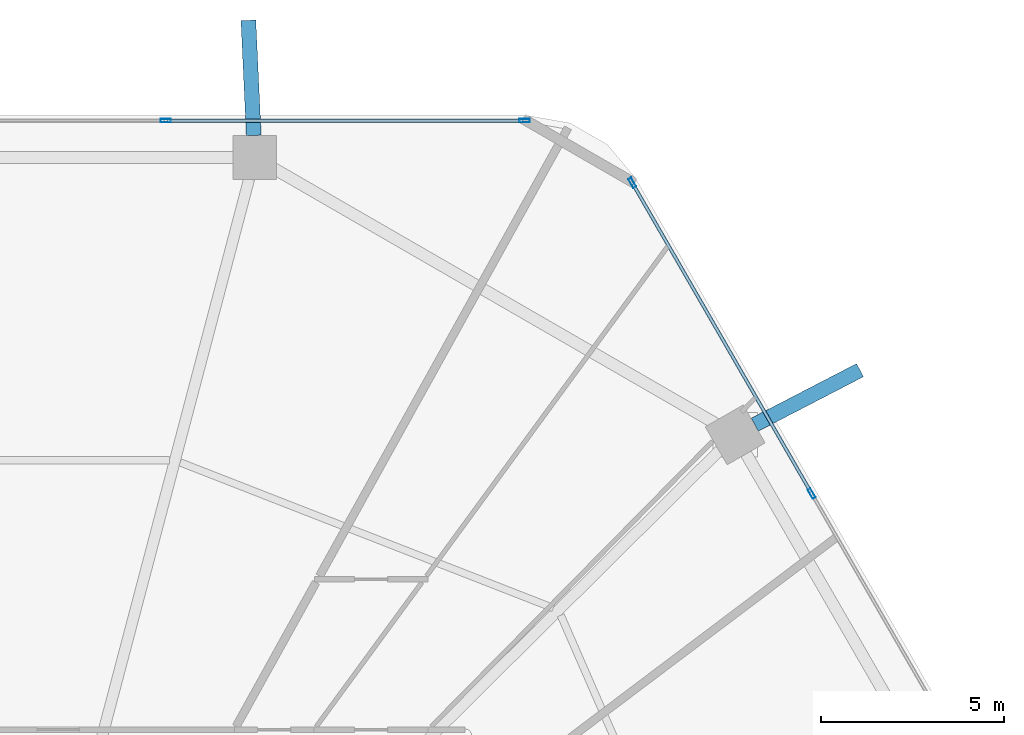
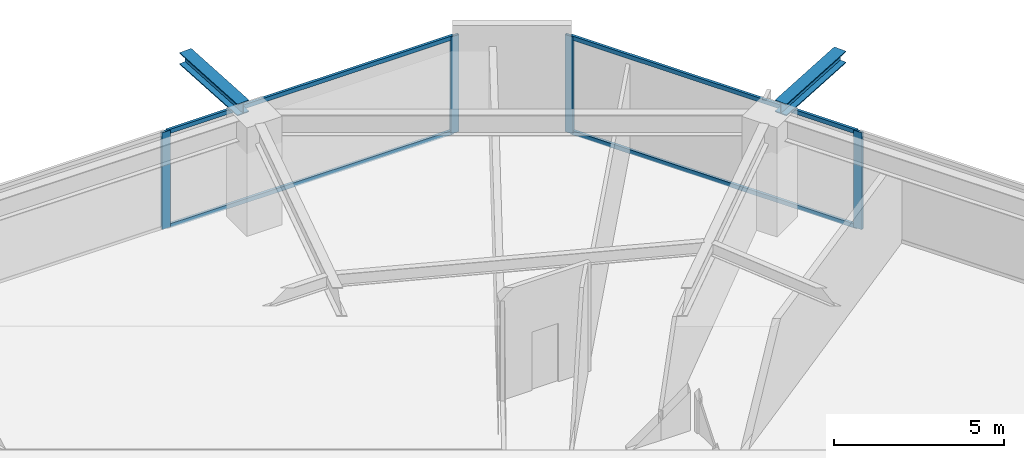
# One storey, part 19 of 26: 8 members, 2 beams, 2 elements without a shape of their own.
"""IFC4 building model written with IfcOpenShell, lengths in metres."""

from ifc_helpers import new_model, si_unit, direction, frame, origin, origin_2d, place, context, subcontext, project, spatial, hollow_rectangle, i_section, extrude, material, material_profile, profile_set, type_object, element, aggregate, save


model = new_model("IFC4")

# Units and contexts
model_context = context("Model", 3, precision=1e-05, world=origin(), true_north=direction((0.0, 1.0)))
body_context = subcontext(model_context, "Body", "Model", "MODEL_VIEW")
ifc_project = project(units=[si_unit("LENGTHUNIT", "METRE"), si_unit("AREAUNIT", "SQUARE_METRE"), si_unit("VOLUMEUNIT", "CUBIC_METRE"), si_unit("PLANEANGLEUNIT", "RADIAN"), si_unit("MASSUNIT", "GRAM", prefix="KILO")], contexts=[model_context])

# Site, building, storey
site_placement = place(None, origin())
site = spatial("IfcSite", under=ifc_project, at=site_placement, CompositionType="ELEMENT")
building_placement = place(site_placement, origin())
building = spatial("IfcBuilding", under=site, at=building_placement, Name="Zuhravey Tower", CompositionType="ELEMENT")
storey_placement = place(building_placement, frame((0.0, 0.0, 28.800048828125)))
storey = spatial("IfcBuildingStorey", under=building, at=storey_placement, Name="L07", CompositionType="ELEMENT", Elevation=28.800048828125)

# Curtain wall, members
ifc_material_1 = material(Name="Thermally broken anodised aluminium", Category="aluminium")
curtain_wall_type = type_object("IfcCurtainWallType", Name="School Low-E Unitised Curtain Wall CW1", PredefinedType="NOTDEFINED", material=ifc_material_1)
curtain_wall_1_placement = place(storey_placement, origin())
curtain_wall_1 = element("IfcCurtainWall", 1, at=curtain_wall_1_placement, inside=storey, type_object=curtain_wall_type, Name="L07 CW1 CW-L07-F2-1", PredefinedType="NOTDEFINED")
ifc_material_2 = material(Name="Anodised aluminium", Category="aluminium")
ifc_material_profile_1 = material_profile(ifc_material_2, hollow_rectangle(XDim=0.090087890625, YDim=0.284912109375, WallThickness=0.0048828125, at=origin_2d()), Name="ALU-RHS-90x285x5")
ifc_profile_set_1 = profile_set([ifc_material_profile_1], Name="Anodised aluminium")
member_type_1 = type_object("IfcMemberType", Name="Curtain-Wall Mullion 90x180", PredefinedType="MULLION", material=ifc_profile_set_1)
member_1_placement = place(storey_placement, frame((40.93310546875, 60.95849609375, 0.0), z_axis=(0.0, 0.0, 1.0), x_axis=(0.0, 1.0, 0.0)))
member_1 = element("IfcMember", 2, at=member_1_placement, type_object=member_type_1, Name="CW1 mullion 3", PredefinedType="MULLION", context=body_context, shape_type="SweptSolid", body=[
    extrude(hollow_rectangle(XDim=0.090087890625, YDim=0.284912109375, WallThickness=0.0048828125, at=origin_2d()), origin(), (0.0, 0.0, 1.0), 3.491943359375),
])
member_2_placement = place(storey_placement, frame((50.75439453125, 60.95849609375, 0.0), z_axis=(0.0, 0.0, 1.0), x_axis=(0.0, 1.0, 0.0)))
member_2 = element("IfcMember", 3, at=member_2_placement, type_object=member_type_1, Name="CW1 mullion 4", PredefinedType="MULLION", context=body_context, shape_type="SweptSolid", body=[
    extrude(hollow_rectangle(XDim=0.090087890625, YDim=0.284912109375, WallThickness=0.0048828125, at=origin_2d()), origin(), (0.0, 0.0, 1.0), 3.491943359375),
])

curtain_wall_2_placement = place(storey_placement, origin())
curtain_wall_2 = element("IfcCurtainWall", 4, at=curtain_wall_2_placement, inside=storey, type_object=curtain_wall_type, Name="L07 CW1 CW-L07-F1-1", PredefinedType="NOTDEFINED")
member_3_placement = place(storey_placement, frame((53.701416015625, 59.257080078125, 0.0), z_axis=(0.0, 0.0, 1.0), x_axis=(0.86602552265, 0.499999794119, 0.0)))
member_3 = element("IfcMember", 5, at=member_3_placement, type_object=member_type_1, Name="CW1 mullion 1", PredefinedType="MULLION", context=body_context, shape_type="SweptSolid", body=[
    extrude(hollow_rectangle(XDim=0.090087890625, YDim=0.284912109375, WallThickness=0.0048828125, at=origin_2d()), origin(), (0.0, 0.0, 1.0), 3.491943359375),
])
member_4_placement = place(storey_placement, frame((58.612060546875, 50.75146484375, 0.0), z_axis=(0.0, 0.0, 1.0), x_axis=(0.86602552265, 0.499999794119, 0.0)))
member_4 = element("IfcMember", 6, at=member_4_placement, type_object=member_type_1, Name="CW1 mullion 2", PredefinedType="MULLION", context=body_context, shape_type="SweptSolid", body=[
    extrude(hollow_rectangle(XDim=0.090087890625, YDim=0.284912109375, WallThickness=0.0048828125, at=origin_2d()), origin(), (0.0, 0.0, 1.0), 3.491943359375),
])

# Member
ifc_material_profile_2 = material_profile(ifc_material_2, hollow_rectangle(XDim=0.090087890625, YDim=0.14990234375, WallThickness=0.0048828125, at=origin_2d()), Name="ALU-RHS-90x150x5")
ifc_profile_set_2 = profile_set([ifc_material_profile_2], Name="Anodised aluminium")
member_type_2 = type_object("IfcMemberType", Name="Curtain-Wall Transom 90x150", PredefinedType="USERDEFINED", material=ifc_profile_set_2)
member_5_placement = place(storey_placement, frame((40.978271484375, 60.95849609375, 0.044921875), z_axis=(1.0, 0.0, 0.0), x_axis=(0.0, 1.0, 0.0)))
member_5 = element("IfcMember", 7, at=member_5_placement, type_object=member_type_2, Name="CW1 transom 3.1", ObjectType="TRANSOM", PredefinedType="USERDEFINED", context=body_context, shape_type="SweptSolid", body=[
    extrude(hollow_rectangle(XDim=0.090087890625, YDim=0.14990234375, WallThickness=0.0048828125, at=origin_2d()), origin(), (0.0, 0.0, 1.0), 9.731201171875),
])

member_6_placement = place(storey_placement, frame((40.978271484375, 60.95849609375, 3.447021484375), z_axis=(1.0, 0.0, 0.0), x_axis=(0.0, 1.0, 0.0)))
member_6 = element("IfcMember", 8, at=member_6_placement, type_object=member_type_2, Name="CW1 transom 3.2", ObjectType="TRANSOM", PredefinedType="USERDEFINED", context=body_context, shape_type="SweptSolid", body=[
    extrude(hollow_rectangle(XDim=0.090087890625, YDim=0.14990234375, WallThickness=0.0048828125, at=origin_2d()), origin(), (0.0, 0.0, 1.0), 9.731201171875),
])

aggregate(curtain_wall_1, [member_1, member_2, member_5, member_6])

member_7_placement = place(storey_placement, frame((53.72412109375, 59.218017578125, 0.044921875), z_axis=(0.499989576763, -0.86603142156, 0.0), x_axis=(0.86603142156, 0.499989576763, 0.0)))
member_7 = element("IfcMember", 9, at=member_7_placement, type_object=member_type_2, Name="CW1 transom 1.1", ObjectType="TRANSOM", PredefinedType="USERDEFINED", context=body_context, shape_type="SweptSolid", body=[
    extrude(hollow_rectangle(XDim=0.090087890625, YDim=0.14990234375, WallThickness=0.0048828125, at=origin_2d()), origin(), (0.0, 0.0, 1.0), 9.731201171875),
])

member_8_placement = place(storey_placement, frame((53.72412109375, 59.218017578125, 3.447021484375), z_axis=(0.499989576763, -0.86603142156, 0.0), x_axis=(0.86603142156, 0.499989576763, 0.0)))
member_8 = element("IfcMember", 10, at=member_8_placement, type_object=member_type_2, Name="CW1 transom 1.2", ObjectType="TRANSOM", PredefinedType="USERDEFINED", context=body_context, shape_type="SweptSolid", body=[
    extrude(hollow_rectangle(XDim=0.090087890625, YDim=0.14990234375, WallThickness=0.0048828125, at=origin_2d()), origin(), (0.0, 0.0, 1.0), 9.731201171875),
])

aggregate(curtain_wall_2, [member_3, member_4, member_7, member_8])

# Beams
ifc_material_3 = material(Name="Steel SM460", Category="steel")
ifc_material_profile_3 = material_profile(ifc_material_3, i_section(OverallWidth=0.406982421875, OverallDepth=0.427978515625, WebThickness=0.02001953125, FlangeThickness=0.034912109375, at=origin_2d()), Name="H-428x407x20x35")
ifc_profile_set_3 = profile_set([ifc_material_profile_3], Name="Steel SM460")
beam_type = type_object("IfcBeamType", Name="Exoskeleton Node Tie Beam H428x407", PredefinedType="BEAM", material=ifc_profile_set_3)
beam_1_placement = place(storey_placement, frame((57.055908203125, 52.635009765625, 3.7060546875), z_axis=(0.887924165108, 0.459989866212, 0.0), x_axis=(-0.459989866212, 0.887924165108, 0.0)))
element("IfcBeam", 11, at=beam_1_placement, inside=storey, type_object=beam_type, Name="L07 Exoskeleton Node Tie NT1-02", PredefinedType="BEAM", context=body_context, shape_type="SweptSolid", body=[
    extrude(i_section(OverallWidth=0.406982421875, OverallDepth=0.427978515625, WebThickness=0.02001953125, FlangeThickness=0.034912109375, at=origin_2d()), origin(), (0.0, 0.0, 1.0), 3.244384765625),
])
beam_2_placement = place(storey_placement, frame((43.341796875, 60.552490234375, 3.7060546875), z_axis=(-0.046667932631, 0.998910458482, 0.0), x_axis=(-0.998910458482, -0.046667932631, 0.0)))
element("IfcBeam", 12, at=beam_2_placement, inside=storey, type_object=beam_type, Name="L07 Exoskeleton Node Tie NT1-03", PredefinedType="BEAM", context=body_context, shape_type="SweptSolid", body=[
    extrude(i_section(OverallWidth=0.406982421875, OverallDepth=0.427978515625, WebThickness=0.02001953125, FlangeThickness=0.034912109375, at=origin_2d()), origin(), (0.0, 0.0, 1.0), 3.154541015625),
])

save(model, "model.ifc")
